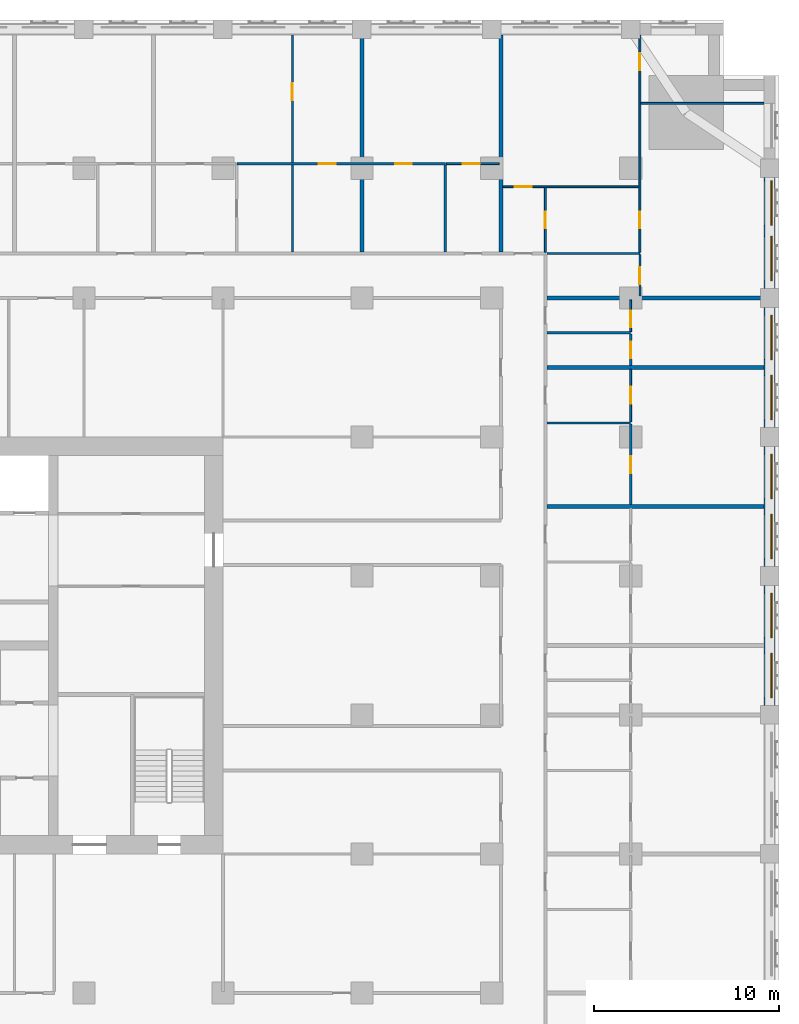
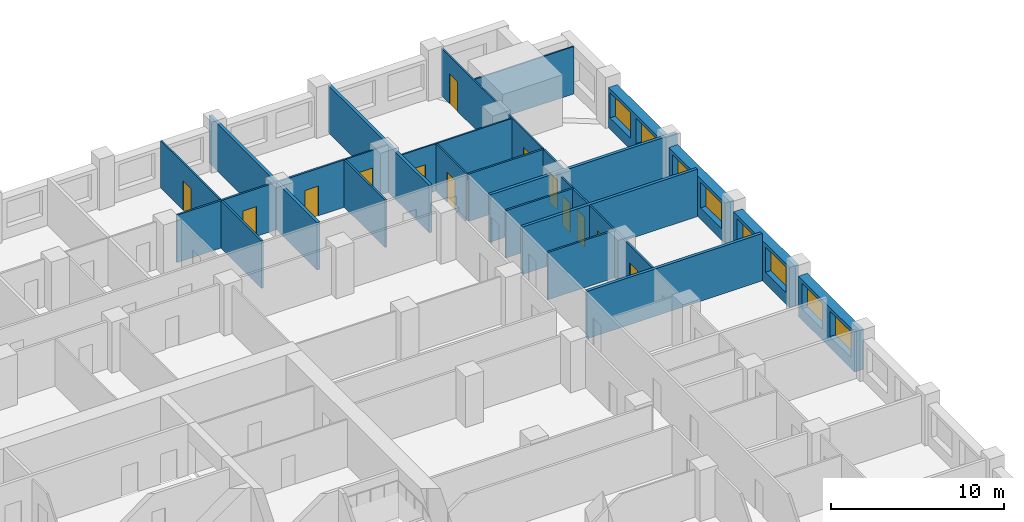
# One storey, part 10 of 14: 26 walls, 13 doors, 8 windows, 21 openings.
"""IFC4 building model written with IfcOpenShell, lengths in metres."""

from ifc_helpers import new_model, si_unit, direction, frame, frame_2d, origin, place, context, subcontext, project, spatial, rectangle, extrude, material, layer, layer_set, type_object, element, fill, save


model = new_model("IFC4")

# Units and contexts
model_context = context("Model", 3, precision=1e-05, world=origin(), true_north=direction((0.0, 1.0)))
body_context = subcontext(model_context, "Body", "Model", "MODEL_VIEW")
ifc_project = project(units=[si_unit("LENGTHUNIT", "METRE"), si_unit("AREAUNIT", "SQUARE_METRE"), si_unit("VOLUMEUNIT", "CUBIC_METRE"), si_unit("PLANEANGLEUNIT", "RADIAN"), si_unit("MASSUNIT", "GRAM", prefix="KILO")], contexts=[model_context])

# Site, building, storey
site_placement = place(None, origin())
site = spatial("IfcSite", under=ifc_project, at=site_placement, CompositionType="ELEMENT")
building_placement = place(site_placement, origin())
building = spatial("IfcBuilding", under=site, at=building_placement, Name="Tamorin Gate", CompositionType="ELEMENT")
storey_placement = place(building_placement, frame((0.0, 0.0, 66.39990234375)))
storey = spatial("IfcBuildingStorey", under=building, at=storey_placement, Name="L15", CompositionType="ELEMENT", Elevation=66.39990234375)

# Wall, openings, windows
ifc_material_1 = material(Name="Precast concrete C40/50", Category="concrete")
ifc_layer_1 = layer(ifc_material_1, 0.60009765625)
ifc_layer_set_1 = layer_set([ifc_layer_1], Name="Precast concrete C40/50")
wall_type_1 = type_object("IfcWallType", Name="Board-marked concrete facade panel 600", PredefinedType="SOLIDWALL", material=ifc_layer_set_1)
wall_1_placement = place(storey_placement, frame((89.5, 68.0, 0.0), z_axis=(0.0, 0.0, 1.0), x_axis=(0.0, 1.0, 0.0)))
wall_1 = element("IfcWall", 1, at=wall_1_placement, inside=storey, type_object=wall_type_1, Name="Facade panel", PredefinedType="SOLIDWALL", context=body_context, shape_type="SweptSolid", body=[
    extrude(rectangle(XDim=6.5, YDim=0.60009765625, at=frame_2d((3.25, 0.0))), origin(), (0.0, 0.0, 1.0), 2.85009765625),
])
opening_1_placement = place(wall_1_placement, frame((0.425048828125, 0.0, 0.800048828125)))
opening_1 = element("IfcOpeningElement", 2, at=opening_1_placement, cuts=wall_1, Name="Opening WN1", PredefinedType="OPENING", context=body_context, shape_type="SweptSolid", body=[
    extrude(rectangle(XDim=2.39990234375, YDim=1.800048828125, at=frame_2d((1.199951171875, 0.89990234375))), frame((0.0, 0.31005859375, 0.0), z_axis=(0.0, -1.0, 0.0), x_axis=(1.0, 0.0, 0.0)), (0.0, 0.0, 1.0), 0.6201171875),
])
opening_2_placement = place(wall_1_placement, frame((3.675048828125, 0.0, 0.800048828125)))
opening_2 = element("IfcOpeningElement", 3, at=opening_2_placement, cuts=wall_1, Name="Opening WN1", PredefinedType="OPENING", context=body_context, shape_type="SweptSolid", body=[
    extrude(rectangle(XDim=2.39990234375, YDim=1.800048828125, at=frame_2d((1.199951171875, 0.89990234375))), frame((0.0, 0.31005859375, 0.0), z_axis=(0.0, -1.0, 0.0), x_axis=(1.0, 0.0, 0.0)), (0.0, 0.0, 1.0), 0.6201171875),
])
ifc_material_2 = material(Name="Clear glass in aluminium frame", Category="aluminium")
window_type = type_object("IfcWindowType", Name="Deep-set window 2400x1800", PartitioningType="SINGLE_PANEL", PredefinedType="WINDOW", material=ifc_material_2)
window_1_placement = place(opening_1_placement, origin())
window_1 = element("IfcWindow", 4, at=window_1_placement, inside=storey, type_object=window_type, Name="Deep-set window", OverallHeight=1.800048828125, OverallWidth=2.39990234375, PartitioningType="SINGLE_PANEL", PredefinedType="WINDOW", context=body_context, shape_type="SweptSolid", body=[
    extrude(rectangle(XDim=2.39990234375, YDim=1.800048828125, at=frame_2d((1.199951171875, 0.89990234375))), frame((0.0, -0.070068359375, 0.0), z_axis=(0.0, -1.0, 0.0), x_axis=(1.0, 0.0, 0.0)), (0.0, 0.0, 1.0), 0.06005859375),
])
fill(opening_1, window_1)
window_2_placement = place(opening_2_placement, origin())
window_2 = element("IfcWindow", 5, at=window_2_placement, inside=storey, type_object=window_type, Name="Deep-set window", OverallHeight=1.800048828125, OverallWidth=2.39990234375, PartitioningType="SINGLE_PANEL", PredefinedType="WINDOW", context=body_context, shape_type="SweptSolid", body=[
    extrude(rectangle(XDim=2.39990234375, YDim=1.800048828125, at=frame_2d((1.199951171875, 0.89990234375))), frame((0.0, -0.070068359375, 0.0), z_axis=(0.0, -1.0, 0.0), x_axis=(1.0, 0.0, 0.0)), (0.0, 0.0, 1.0), 0.06005859375),
])
fill(opening_2, window_2)

wall_2_placement = place(storey_placement, frame((89.5, 75.5, 0.0), z_axis=(0.0, 0.0, 1.0), x_axis=(0.0, 1.0, 0.0)))
wall_2 = element("IfcWall", 6, at=wall_2_placement, inside=storey, type_object=wall_type_1, Name="Facade panel", PredefinedType="SOLIDWALL", context=body_context, shape_type="SweptSolid", body=[
    extrude(rectangle(XDim=6.5, YDim=0.60009765625, at=frame_2d((3.25, 0.0))), origin(), (0.0, 0.0, 1.0), 2.85009765625),
])
opening_3_placement = place(wall_2_placement, frame((0.425048828125, 0.0, 0.800048828125)))
opening_3 = element("IfcOpeningElement", 7, at=opening_3_placement, cuts=wall_2, Name="Opening WN1", PredefinedType="OPENING", context=body_context, shape_type="SweptSolid", body=[
    extrude(rectangle(XDim=2.39990234375, YDim=1.800048828125, at=frame_2d((1.199951171875, 0.89990234375))), frame((0.0, 0.31005859375, 0.0), z_axis=(0.0, -1.0, 0.0), x_axis=(1.0, 0.0, 0.0)), (0.0, 0.0, 1.0), 0.6201171875),
])
opening_4_placement = place(wall_2_placement, frame((3.675048828125, 0.0, 0.800048828125)))
opening_4 = element("IfcOpeningElement", 8, at=opening_4_placement, cuts=wall_2, Name="Opening WN1", PredefinedType="OPENING", context=body_context, shape_type="SweptSolid", body=[
    extrude(rectangle(XDim=2.39990234375, YDim=1.800048828125, at=frame_2d((1.199951171875, 0.89990234375))), frame((0.0, 0.31005859375, 0.0), z_axis=(0.0, -1.0, 0.0), x_axis=(1.0, 0.0, 0.0)), (0.0, 0.0, 1.0), 0.6201171875),
])
window_3_placement = place(opening_3_placement, origin())
window_3 = element("IfcWindow", 9, at=window_3_placement, inside=storey, type_object=window_type, Name="Deep-set window", OverallHeight=1.800048828125, OverallWidth=2.39990234375, PartitioningType="SINGLE_PANEL", PredefinedType="WINDOW", context=body_context, shape_type="SweptSolid", body=[
    extrude(rectangle(XDim=2.39990234375, YDim=1.800048828125, at=frame_2d((1.199951171875, 0.89990234375))), frame((0.0, -0.070068359375, 0.0), z_axis=(0.0, -1.0, 0.0), x_axis=(1.0, 0.0, 0.0)), (0.0, 0.0, 1.0), 0.06005859375),
])
fill(opening_3, window_3)
window_4_placement = place(opening_4_placement, origin())
window_4 = element("IfcWindow", 10, at=window_4_placement, inside=storey, type_object=window_type, Name="Deep-set window", OverallHeight=1.800048828125, OverallWidth=2.39990234375, PartitioningType="SINGLE_PANEL", PredefinedType="WINDOW", context=body_context, shape_type="SweptSolid", body=[
    extrude(rectangle(XDim=2.39990234375, YDim=1.800048828125, at=frame_2d((1.199951171875, 0.89990234375))), frame((0.0, -0.070068359375, 0.0), z_axis=(0.0, -1.0, 0.0), x_axis=(1.0, 0.0, 0.0)), (0.0, 0.0, 1.0), 0.06005859375),
])
fill(opening_4, window_4)

wall_3_placement = place(storey_placement, frame((89.5, 83.0, 0.0), z_axis=(0.0, 0.0, 1.0), x_axis=(0.0, 1.0, 0.0)))
wall_3 = element("IfcWall", 11, at=wall_3_placement, inside=storey, type_object=wall_type_1, Name="Facade panel", PredefinedType="SOLIDWALL", context=body_context, shape_type="SweptSolid", body=[
    extrude(rectangle(XDim=6.5, YDim=0.60009765625, at=frame_2d((3.25, 0.0))), origin(), (0.0, 0.0, 1.0), 2.85009765625),
])
opening_5_placement = place(wall_3_placement, frame((0.425048828125, 0.0, 0.800048828125)))
opening_5 = element("IfcOpeningElement", 12, at=opening_5_placement, cuts=wall_3, Name="Opening WN1", PredefinedType="OPENING", context=body_context, shape_type="SweptSolid", body=[
    extrude(rectangle(XDim=2.39990234375, YDim=1.800048828125, at=frame_2d((1.199951171875, 0.89990234375))), frame((0.0, 0.31005859375, 0.0), z_axis=(0.0, -1.0, 0.0), x_axis=(1.0, 0.0, 0.0)), (0.0, 0.0, 1.0), 0.6201171875),
])
opening_6_placement = place(wall_3_placement, frame((3.675048828125, 0.0, 0.800048828125)))
opening_6 = element("IfcOpeningElement", 13, at=opening_6_placement, cuts=wall_3, Name="Opening WN1", PredefinedType="OPENING", context=body_context, shape_type="SweptSolid", body=[
    extrude(rectangle(XDim=2.39990234375, YDim=1.800048828125, at=frame_2d((1.199951171875, 0.89990234375))), frame((0.0, 0.31005859375, 0.0), z_axis=(0.0, -1.0, 0.0), x_axis=(1.0, 0.0, 0.0)), (0.0, 0.0, 1.0), 0.6201171875),
])
window_5_placement = place(opening_5_placement, origin())
window_5 = element("IfcWindow", 14, at=window_5_placement, inside=storey, type_object=window_type, Name="Deep-set window", OverallHeight=1.800048828125, OverallWidth=2.39990234375, PartitioningType="SINGLE_PANEL", PredefinedType="WINDOW", context=body_context, shape_type="SweptSolid", body=[
    extrude(rectangle(XDim=2.39990234375, YDim=1.800048828125, at=frame_2d((1.199951171875, 0.89990234375))), frame((0.0, -0.070068359375, 0.0), z_axis=(0.0, -1.0, 0.0), x_axis=(1.0, 0.0, 0.0)), (0.0, 0.0, 1.0), 0.06005859375),
])
fill(opening_5, window_5)
window_6_placement = place(opening_6_placement, origin())
window_6 = element("IfcWindow", 15, at=window_6_placement, inside=storey, type_object=window_type, Name="Deep-set window", OverallHeight=1.800048828125, OverallWidth=2.39990234375, PartitioningType="SINGLE_PANEL", PredefinedType="WINDOW", context=body_context, shape_type="SweptSolid", body=[
    extrude(rectangle(XDim=2.39990234375, YDim=1.800048828125, at=frame_2d((1.199951171875, 0.89990234375))), frame((0.0, -0.070068359375, 0.0), z_axis=(0.0, -1.0, 0.0), x_axis=(1.0, 0.0, 0.0)), (0.0, 0.0, 1.0), 0.06005859375),
])
fill(opening_6, window_6)

wall_4_placement = place(storey_placement, frame((89.5, 90.5, 0.0), z_axis=(0.0, 0.0, 1.0), x_axis=(0.0, 1.0, 0.0)))
wall_4 = element("IfcWall", 16, at=wall_4_placement, inside=storey, type_object=wall_type_1, Name="Facade panel", PredefinedType="SOLIDWALL", context=body_context, shape_type="SweptSolid", body=[
    extrude(rectangle(XDim=6.0, YDim=0.60009765625, at=frame_2d((3.0, 0.0))), origin(), (0.0, 0.0, 1.0), 2.85009765625),
])
opening_7_placement = place(wall_4_placement, frame((0.425048828125, 0.0, 0.800048828125)))
opening_7 = element("IfcOpeningElement", 17, at=opening_7_placement, cuts=wall_4, Name="Opening WN1", PredefinedType="OPENING", context=body_context, shape_type="SweptSolid", body=[
    extrude(rectangle(XDim=2.39990234375, YDim=1.800048828125, at=frame_2d((1.199951171875, 0.89990234375))), frame((0.0, 0.31005859375, 0.0), z_axis=(0.0, -1.0, 0.0), x_axis=(1.0, 0.0, 0.0)), (0.0, 0.0, 1.0), 0.6201171875),
])
opening_8_placement = place(wall_4_placement, frame((3.425048828125, 0.0, 0.800048828125)))
opening_8 = element("IfcOpeningElement", 18, at=opening_8_placement, cuts=wall_4, Name="Opening WN1", PredefinedType="OPENING", context=body_context, shape_type="SweptSolid", body=[
    extrude(rectangle(XDim=2.39990234375, YDim=1.800048828125, at=frame_2d((1.199951171875, 0.89990234375))), frame((0.0, 0.31005859375, 0.0), z_axis=(0.0, -1.0, 0.0), x_axis=(1.0, 0.0, 0.0)), (0.0, 0.0, 1.0), 0.6201171875),
])
window_7_placement = place(opening_7_placement, origin())
window_7 = element("IfcWindow", 19, at=window_7_placement, inside=storey, type_object=window_type, Name="Deep-set window", OverallHeight=1.800048828125, OverallWidth=2.39990234375, PartitioningType="SINGLE_PANEL", PredefinedType="WINDOW", context=body_context, shape_type="SweptSolid", body=[
    extrude(rectangle(XDim=2.39990234375, YDim=1.800048828125, at=frame_2d((1.199951171875, 0.89990234375))), frame((0.0, -0.070068359375, 0.0), z_axis=(0.0, -1.0, 0.0), x_axis=(1.0, 0.0, 0.0)), (0.0, 0.0, 1.0), 0.06005859375),
])
fill(opening_7, window_7)
window_8_placement = place(opening_8_placement, origin())
window_8 = element("IfcWindow", 20, at=window_8_placement, inside=storey, type_object=window_type, Name="Deep-set window", OverallHeight=1.800048828125, OverallWidth=2.39990234375, PartitioningType="SINGLE_PANEL", PredefinedType="WINDOW", context=body_context, shape_type="SweptSolid", body=[
    extrude(rectangle(XDim=2.39990234375, YDim=1.800048828125, at=frame_2d((1.199951171875, 0.89990234375))), frame((0.0, -0.070068359375, 0.0), z_axis=(0.0, -1.0, 0.0), x_axis=(1.0, 0.0, 0.0)), (0.0, 0.0, 1.0), 0.06005859375),
])
fill(opening_8, window_8)

# Walls
ifc_material_3 = material(Name="Gypsum board partition")
ifc_layer_2 = layer(ifc_material_3, 0.199951171875)
ifc_layer_set_2 = layer_set([ifc_layer_2], Name="Demising wall 200")
wall_type_2 = type_object("IfcWallType", Name="Demising wall 200", PredefinedType="PARTITIONING", material=ifc_layer_set_2)
for number, where, z_axis, x_axis, name in (
    (21, (77.47509765625, 78.75, 0.0), (0.0, 0.0, 1.0), (1.0, 0.0, 0.0), "Demising wall 200"),
    (22, (77.47509765625, 86.25, 0.0), (0.0, 0.0, 1.0), (1.0, 0.0, 0.0), "Demising wall 200"),
):
    element("IfcWall", number, at=place(storey_placement, frame(where, z_axis=z_axis, x_axis=x_axis)), inside=storey, type_object=wall_type_2, Name=name, PredefinedType="PARTITIONING", context=body_context, shape_type="SweptSolid", body=[
        extrude(rectangle(XDim=11.71484375, YDim=0.199951171875, at=frame_2d((5.857421875, 0.0))), origin(), (0.0, 0.0, 1.0), 3.35009765625),
    ])
for number, where, z_axis, x_axis, name in (
    (23, (77.47509765625, 90.0, 0.0), (0.0, 0.0, 1.0), (1.0, 0.0, 0.0), "Demising wall 200"),
    (24, (67.5, 92.47509765625, 0.0), (0.0, 0.0, 1.0), (0.0, 1.0, 0.0), "Demising wall 200"),
):
    element("IfcWall", number, at=place(storey_placement, frame(where, z_axis=z_axis, x_axis=x_axis)), inside=storey, type_object=wall_type_2, Name=name, PredefinedType="PARTITIONING", context=body_context, shape_type="SweptSolid", body=[
        extrude(rectangle(XDim=12.52490234375, YDim=0.199951171875, at=frame_2d((6.262451171875, 0.0))), origin(), (0.0, 0.0, 1.0), 3.35009765625),
    ])
wall_5_placement = place(storey_placement, frame((75.0, 92.47509765625, 0.0), z_axis=(0.0, 0.0, 1.0), x_axis=(0.0, 1.0, 0.0)))
element("IfcWall", 25, at=wall_5_placement, inside=storey, type_object=wall_type_2, Name="Demising wall 200", PredefinedType="PARTITIONING", context=body_context, shape_type="SweptSolid", body=[
    extrude(rectangle(XDim=11.71484375, YDim=0.199951171875, at=frame_2d((5.857421875, 0.0))), origin(), (0.0, 0.0, 1.0), 3.35009765625),
])

# Wall, opening, door
ifc_layer_3 = layer(ifc_material_3, 0.10009765625)
ifc_layer_set_3 = layer_set([ifc_layer_3], Name="Room partition 100")
wall_type_3 = type_object("IfcWallType", Name="Room partition 100", PredefinedType="PARTITIONING", material=ifc_layer_set_3)
wall_6_placement = place(storey_placement, frame((75.10009765625, 96.0, 0.0), z_axis=(0.0, 0.0, 1.0), x_axis=(1.0, 0.0, 0.0)))
wall_6 = element("IfcWall", 26, at=wall_6_placement, inside=storey, type_object=wall_type_3, Name="Room partition 100", PredefinedType="PARTITIONING", context=body_context, shape_type="SweptSolid", body=[
    extrude(rectangle(XDim=7.349853515625, YDim=0.10009765625, at=frame_2d((3.6748046875, 0.0))), origin(), (0.0, 0.0, 1.0), 3.35009765625),
])
opening_9_placement = place(wall_6_placement, frame((0.64990234375, 0.0, 0.0)))
opening_9 = element("IfcOpeningElement", 27, at=opening_9_placement, cuts=wall_6, Name="Opening DH2062", PredefinedType="OPENING", context=body_context, shape_type="SweptSolid", body=[
    extrude(rectangle(XDim=0.89990234375, YDim=2.10009765625, at=frame_2d((0.449951171875, 1.050048828125))), frame((0.0, 0.06005859375, 0.0), z_axis=(0.0, -1.0, 0.0), x_axis=(1.0, 0.0, 0.0)), (0.0, 0.0, 1.0), 0.1201171875),
])
ifc_material_4 = material(Name="Timber door leaf", Category="wood")
door_type = type_object("IfcDoorType", Name="Door 900 x 2100", OperationType="NOTDEFINED", PredefinedType="DOOR", material=ifc_material_4)
door_1_placement = place(opening_9_placement, origin())
door_1 = element("IfcDoor", 28, at=door_1_placement, inside=storey, type_object=door_type, Name="Door DH2062", OperationType="SINGLE_SWING_LEFT", OverallHeight=2.10009765625, OverallWidth=0.89990234375, PredefinedType="DOOR", context=body_context, shape_type="SweptSolid", body=[
    extrude(rectangle(XDim=0.89990234375, YDim=2.10009765625, at=frame_2d((0.449951171875, 1.050048828125))), frame((0.0, 0.02490234375, 0.0), z_axis=(0.0, -1.0, 0.0), x_axis=(1.0, 0.0, 0.0)), (0.0, 0.0, 1.0), 0.050048828125),
])
fill(opening_9, door_1)

wall_7_placement = place(storey_placement, frame((72.0625, 97.25, 0.0), z_axis=(0.0, 0.0, 1.0), x_axis=(1.0, 0.0, 0.0)))
wall_7 = element("IfcWall", 29, at=wall_7_placement, inside=storey, type_object=wall_type_3, Name="Room partition 100", PredefinedType="PARTITIONING", context=body_context, shape_type="SweptSolid", body=[
    extrude(rectangle(XDim=2.83740234375, YDim=0.10009765625, at=frame_2d((1.418701171875, 0.0))), origin(), (0.0, 0.0, 1.0), 3.35009765625),
])
opening_10_placement = place(wall_7_placement, frame((0.887451171875, 0.0, 0.0)))
opening_10 = element("IfcOpeningElement", 30, at=opening_10_placement, cuts=wall_7, Name="Opening DH2036", PredefinedType="OPENING", context=body_context, shape_type="SweptSolid", body=[
    extrude(rectangle(XDim=0.89990234375, YDim=2.10009765625, at=frame_2d((0.449951171875, 1.050048828125))), frame((0.0, 0.06005859375, 0.0), z_axis=(0.0, -1.0, 0.0), x_axis=(1.0, 0.0, 0.0)), (0.0, 0.0, 1.0), 0.1201171875),
])
door_2_placement = place(opening_10_placement, origin())
door_2 = element("IfcDoor", 31, at=door_2_placement, inside=storey, type_object=door_type, Name="Door DH2036", OperationType="SINGLE_SWING_RIGHT", OverallHeight=2.10009765625, OverallWidth=0.89990234375, PredefinedType="DOOR", context=body_context, shape_type="SweptSolid", body=[
    extrude(rectangle(XDim=0.89990234375, YDim=2.10009765625, at=frame_2d((0.449951171875, 1.050048828125))), frame((0.0, 0.02490234375, 0.0), z_axis=(0.0, -1.0, 0.0), x_axis=(1.0, 0.0, 0.0)), (0.0, 0.0, 1.0), 0.050048828125),
])
fill(opening_10, door_2)

# Wall
wall_8_placement = place(storey_placement, frame((82.550048828125, 100.5, 0.0), z_axis=(0.0, 0.0, 1.0), x_axis=(1.0, 0.0, 0.0)))
element("IfcWall", 32, at=wall_8_placement, inside=storey, type_object=wall_type_3, Name="Room partition 100", PredefinedType="PARTITIONING", context=body_context, shape_type="SweptSolid", body=[
    extrude(rectangle(XDim=6.639892578125, YDim=0.10009765625, at=frame_2d((3.31982421875, 0.0))), origin(), (0.0, 0.0, 1.0), 3.35009765625),
])

# Wall, opening, door
wall_9_placement = place(storey_placement, frame((63.75, 97.3125, 0.0), z_axis=(0.0, 0.0, 1.0), x_axis=(0.0, 1.0, 0.0)))
wall_9 = element("IfcWall", 33, at=wall_9_placement, inside=storey, type_object=wall_type_3, Name="Room partition 100", PredefinedType="PARTITIONING", context=body_context, shape_type="SweptSolid", body=[
    extrude(rectangle(XDim=6.87744140625, YDim=0.10009765625, at=frame_2d((3.438720703125, 0.0))), origin(), (0.0, 0.0, 1.0), 3.35009765625),
])
opening_11_placement = place(wall_9_placement, frame((3.362548828125, 0.0, 0.0)))
opening_11 = element("IfcOpeningElement", 34, at=opening_11_placement, cuts=wall_9, Name="Opening DH2033", PredefinedType="OPENING", context=body_context, shape_type="SweptSolid", body=[
    extrude(rectangle(XDim=0.89990234375, YDim=2.10009765625, at=frame_2d((0.449951171875, 1.050048828125))), frame((0.0, 0.06005859375, 0.0), z_axis=(0.0, -1.0, 0.0), x_axis=(1.0, 0.0, 0.0)), (0.0, 0.0, 1.0), 0.1201171875),
])
door_3_placement = place(opening_11_placement, origin())
door_3 = element("IfcDoor", 35, at=door_3_placement, inside=storey, type_object=door_type, Name="Door DH2033", OperationType="SINGLE_SWING_LEFT", OverallHeight=2.10009765625, OverallWidth=0.89990234375, PredefinedType="DOOR", context=body_context, shape_type="SweptSolid", body=[
    extrude(rectangle(XDim=0.89990234375, YDim=2.10009765625, at=frame_2d((0.449951171875, 1.050048828125))), frame((0.0, 0.02490234375, 0.0), z_axis=(0.0, -1.0, 0.0), x_axis=(1.0, 0.0, 0.0)), (0.0, 0.0, 1.0), 0.050048828125),
])
fill(opening_11, door_3)

wall_10_placement = place(storey_placement, frame((77.39990234375, 92.47509765625, 0.0), z_axis=(0.0, 0.0, 1.0), x_axis=(0.0, 1.0, 0.0)))
wall_10 = element("IfcWall", 36, at=wall_10_placement, inside=storey, type_object=wall_type_3, Name="Room partition 100", PredefinedType="PARTITIONING", context=body_context, shape_type="SweptSolid", body=[
    extrude(rectangle(XDim=3.474853515625, YDim=0.10009765625, at=frame_2d((1.7373046875, 0.0))), origin(), (0.0, 0.0, 1.0), 3.35009765625),
])
opening_12_placement = place(wall_10_placement, frame((1.27490234375, 0.0, 0.0)))
opening_12 = element("IfcOpeningElement", 37, at=opening_12_placement, cuts=wall_10, Name="Opening DH2063", PredefinedType="OPENING", context=body_context, shape_type="SweptSolid", body=[
    extrude(rectangle(XDim=0.89990234375, YDim=2.10009765625, at=frame_2d((0.449951171875, 1.050048828125))), frame((0.0, 0.06005859375, 0.0), z_axis=(0.0, -1.0, 0.0), x_axis=(1.0, 0.0, 0.0)), (0.0, 0.0, 1.0), 0.1201171875),
])
door_4_placement = place(opening_12_placement, origin())
door_4 = element("IfcDoor", 38, at=door_4_placement, inside=storey, type_object=door_type, Name="Door DH2063", OperationType="SINGLE_SWING_RIGHT", OverallHeight=2.10009765625, OverallWidth=0.89990234375, PredefinedType="DOOR", context=body_context, shape_type="SweptSolid", body=[
    extrude(rectangle(XDim=0.89990234375, YDim=2.10009765625, at=frame_2d((0.449951171875, 1.050048828125))), frame((0.0, 0.02490234375, 0.0), z_axis=(0.0, -1.0, 0.0), x_axis=(1.0, 0.0, 0.0)), (0.0, 0.0, 1.0), 0.050048828125),
])
fill(opening_12, door_4)

wall_11_placement = place(storey_placement, frame((82.0, 83.3125, 0.0), z_axis=(0.0, 0.0, 1.0), x_axis=(0.0, 1.0, 0.0)))
wall_11 = element("IfcWall", 39, at=wall_11_placement, inside=storey, type_object=wall_type_3, Name="Room partition 100", PredefinedType="PARTITIONING", context=body_context, shape_type="SweptSolid", body=[
    extrude(rectangle(XDim=2.83740234375, YDim=0.10009765625, at=frame_2d((1.418701171875, 0.0))), origin(), (0.0, 0.0, 1.0), 3.35009765625),
])
opening_13_placement = place(wall_11_placement, frame((0.987548828125, 0.0, 0.0)))
opening_13 = element("IfcOpeningElement", 40, at=opening_13_placement, cuts=wall_11, Name="Opening DH2051", PredefinedType="OPENING", context=body_context, shape_type="SweptSolid", body=[
    extrude(rectangle(XDim=0.89990234375, YDim=2.10009765625, at=frame_2d((0.449951171875, 1.050048828125))), frame((0.0, 0.06005859375, 0.0), z_axis=(0.0, -1.0, 0.0), x_axis=(1.0, 0.0, 0.0)), (0.0, 0.0, 1.0), 0.1201171875),
])
door_5_placement = place(opening_13_placement, origin())
door_5 = element("IfcDoor", 41, at=door_5_placement, inside=storey, type_object=door_type, Name="Door DH2051", OperationType="SINGLE_SWING_LEFT", OverallHeight=2.10009765625, OverallWidth=0.89990234375, PredefinedType="DOOR", context=body_context, shape_type="SweptSolid", body=[
    extrude(rectangle(XDim=0.89990234375, YDim=2.10009765625, at=frame_2d((0.449951171875, 1.050048828125))), frame((0.0, 0.02490234375, 0.0), z_axis=(0.0, -1.0, 0.0), x_axis=(1.0, 0.0, 0.0)), (0.0, 0.0, 1.0), 0.050048828125),
])
fill(opening_13, door_5)

wall_12_placement = place(storey_placement, frame((82.0, 88.1875, 0.0), z_axis=(0.0, 0.0, 1.0), x_axis=(0.0, 1.0, 0.0)))
wall_12 = element("IfcWall", 42, at=wall_12_placement, inside=storey, type_object=wall_type_3, Name="Room partition 100", PredefinedType="PARTITIONING", context=body_context, shape_type="SweptSolid", body=[
    extrude(rectangle(XDim=1.71240234375, YDim=0.10009765625, at=frame_2d((0.856201171875, 0.0))), origin(), (0.0, 0.0, 1.0), 3.35009765625),
])
opening_14_placement = place(wall_12_placement, frame((0.22509765625, 0.0, 0.0)))
opening_14 = element("IfcOpeningElement", 43, at=opening_14_placement, cuts=wall_12, Name="Opening DH2054", PredefinedType="OPENING", context=body_context, shape_type="SweptSolid", body=[
    extrude(rectangle(XDim=0.89990234375, YDim=2.10009765625, at=frame_2d((0.449951171875, 1.050048828125))), frame((0.0, 0.06005859375, 0.0), z_axis=(0.0, -1.0, 0.0), x_axis=(1.0, 0.0, 0.0)), (0.0, 0.0, 1.0), 0.1201171875),
])
door_6_placement = place(opening_14_placement, origin())
door_6 = element("IfcDoor", 44, at=door_6_placement, inside=storey, type_object=door_type, Name="Door DH2054", OperationType="SINGLE_SWING_LEFT", OverallHeight=2.10009765625, OverallWidth=0.89990234375, PredefinedType="DOOR", context=body_context, shape_type="SweptSolid", body=[
    extrude(rectangle(XDim=0.89990234375, YDim=2.10009765625, at=frame_2d((0.449951171875, 1.050048828125))), frame((0.0, 0.02490234375, 0.0), z_axis=(0.0, -1.0, 0.0), x_axis=(1.0, 0.0, 0.0)), (0.0, 0.0, 1.0), 0.050048828125),
])
fill(opening_14, door_6)

# Wall, openings, doors
wall_13_placement = place(storey_placement, frame((82.5, 92.46240234375, 0.0), z_axis=(0.0, 0.0, 1.0), x_axis=(0.0, 1.0, 0.0)))
wall_13 = element("IfcWall", 45, at=wall_13_placement, inside=storey, type_object=wall_type_3, Name="Room partition 100", PredefinedType="PARTITIONING", context=body_context, shape_type="SweptSolid", body=[
    extrude(rectangle(XDim=11.7275390625, YDim=0.10009765625, at=frame_2d((5.86376953125, 0.0))), origin(), (0.0, 0.0, 1.0), 3.35009765625),
])
opening_15_placement = place(wall_13_placement, frame((9.83740234375, 0.0, 0.0)))
opening_15 = element("IfcOpeningElement", 46, at=opening_15_placement, cuts=wall_13, Name="Opening DH2064", PredefinedType="OPENING", context=body_context, shape_type="SweptSolid", body=[
    extrude(rectangle(XDim=0.89990234375, YDim=2.10009765625, at=frame_2d((0.449951171875, 1.050048828125))), frame((0.0, 0.06005859375, 0.0), z_axis=(0.0, -1.0, 0.0), x_axis=(1.0, 0.0, 0.0)), (0.0, 0.0, 1.0), 0.1201171875),
])
opening_16_placement = place(wall_13_placement, frame((1.28759765625, 0.0, 0.0)))
opening_16 = element("IfcOpeningElement", 47, at=opening_16_placement, cuts=wall_13, Name="Opening DH2065", PredefinedType="OPENING", context=body_context, shape_type="SweptSolid", body=[
    extrude(rectangle(XDim=0.89990234375, YDim=2.10009765625, at=frame_2d((0.449951171875, 1.050048828125))), frame((0.0, 0.06005859375, 0.0), z_axis=(0.0, -1.0, 0.0), x_axis=(1.0, 0.0, 0.0)), (0.0, 0.0, 1.0), 0.1201171875),
])
door_7_placement = place(opening_15_placement, origin())
door_7 = element("IfcDoor", 48, at=door_7_placement, inside=storey, type_object=door_type, Name="Door DH2064", OperationType="SINGLE_SWING_LEFT", OverallHeight=2.10009765625, OverallWidth=0.89990234375, PredefinedType="DOOR", context=body_context, shape_type="SweptSolid", body=[
    extrude(rectangle(XDim=0.89990234375, YDim=2.10009765625, at=frame_2d((0.449951171875, 1.050048828125))), frame((0.0, 0.02490234375, 0.0), z_axis=(0.0, -1.0, 0.0), x_axis=(1.0, 0.0, 0.0)), (0.0, 0.0, 1.0), 0.050048828125),
])
fill(opening_15, door_7)
door_8_placement = place(opening_16_placement, origin())
door_8 = element("IfcDoor", 49, at=door_8_placement, inside=storey, type_object=door_type, Name="Door DH2065", OperationType="SINGLE_SWING_RIGHT", OverallHeight=2.10009765625, OverallWidth=0.89990234375, PredefinedType="DOOR", context=body_context, shape_type="SweptSolid", body=[
    extrude(rectangle(XDim=0.89990234375, YDim=2.10009765625, at=frame_2d((0.449951171875, 1.050048828125))), frame((0.0, 0.02490234375, 0.0), z_axis=(0.0, -1.0, 0.0), x_axis=(1.0, 0.0, 0.0)), (0.0, 0.0, 1.0), 0.050048828125),
])
fill(opening_16, door_8)

# Walls
ifc_layer_4 = layer(ifc_material_3, 0.125)
ifc_layer_set_4 = layer_set([ifc_layer_4], Name="Wet wall 125")
wall_type_4 = type_object("IfcWallType", Name="Wet wall 125", PredefinedType="PARTITIONING", material=ifc_layer_set_4)
for number, where, z_axis, x_axis, name in (
    (50, (77.47509765625, 83.25, 0.0), (0.0, 0.0, 1.0), (1.0, 0.0, 0.0), "Wet wall 125"),
    (51, (77.47509765625, 88.125, 0.0), (0.0, 0.0, 1.0), (1.0, 0.0, 0.0), "Wet wall 125"),
):
    element("IfcWall", number, at=place(storey_placement, frame(where, z_axis=z_axis, x_axis=x_axis)), inside=storey, type_object=wall_type_4, Name=name, PredefinedType="PARTITIONING", context=body_context, shape_type="SweptSolid", body=[
        extrude(rectangle(XDim=4.52490234375, YDim=0.125, at=frame_2d((2.262451171875, 0.0))), origin(), (0.0, 0.0, 1.0), 3.35009765625),
    ])
wall_14_placement = place(storey_placement, frame((77.47509765625, 92.39990234375, 0.0), z_axis=(0.0, 0.0, 1.0), x_axis=(1.0, 0.0, 0.0)))
element("IfcWall", 52, at=wall_14_placement, inside=storey, type_object=wall_type_4, Name="Wet wall 125", PredefinedType="PARTITIONING", context=body_context, shape_type="SweptSolid", body=[
    extrude(rectangle(XDim=5.02490234375, YDim=0.125, at=frame_2d((2.512451171875, 0.0))), origin(), (0.0, 0.0, 1.0), 3.35009765625),
])

# Wall, openings, doors
wall_15_placement = place(storey_placement, frame((60.75, 97.25, 0.0), z_axis=(0.0, 0.0, 1.0), x_axis=(1.0, 0.0, 0.0)))
wall_15 = element("IfcWall", 53, at=wall_15_placement, inside=storey, type_object=wall_type_4, Name="Wet wall 125", PredefinedType="PARTITIONING", context=body_context, shape_type="SweptSolid", body=[
    extrude(rectangle(XDim=11.25, YDim=0.125, at=frame_2d((5.625, 0.0))), origin(), (0.0, 0.0, 1.0), 3.35009765625),
])
opening_17_placement = place(wall_15_placement, frame((4.425048828125, 0.0, 0.0)))
opening_17 = element("IfcOpeningElement", 54, at=opening_17_placement, cuts=wall_15, Name="Opening DH2032", PredefinedType="OPENING", context=body_context, shape_type="SweptSolid", body=[
    extrude(rectangle(XDim=0.89990234375, YDim=2.10009765625, at=frame_2d((0.449951171875, 1.050048828125))), frame((0.0, 0.072509765625, 0.0), z_axis=(0.0, -1.0, 0.0), x_axis=(1.0, 0.0, 0.0)), (0.0, 0.0, 1.0), 0.14501953125),
])
opening_18_placement = place(wall_15_placement, frame((8.550048828125, 0.0, 0.0)))
opening_18 = element("IfcOpeningElement", 55, at=opening_18_placement, cuts=wall_15, Name="Opening DH2034", PredefinedType="OPENING", context=body_context, shape_type="SweptSolid", body=[
    extrude(rectangle(XDim=0.89990234375, YDim=2.10009765625, at=frame_2d((0.449951171875, 1.050048828125))), frame((0.0, 0.072509765625, 0.0), z_axis=(0.0, -1.0, 0.0), x_axis=(1.0, 0.0, 0.0)), (0.0, 0.0, 1.0), 0.14501953125),
])
door_9_placement = place(opening_17_placement, origin())
door_9 = element("IfcDoor", 56, at=door_9_placement, inside=storey, type_object=door_type, Name="Door DH2032", OperationType="SINGLE_SWING_RIGHT", OverallHeight=2.10009765625, OverallWidth=0.89990234375, PredefinedType="DOOR", context=body_context, shape_type="SweptSolid", body=[
    extrude(rectangle(XDim=0.89990234375, YDim=2.10009765625, at=frame_2d((0.449951171875, 1.050048828125))), frame((0.0, 0.02490234375, 0.0), z_axis=(0.0, -1.0, 0.0), x_axis=(1.0, 0.0, 0.0)), (0.0, 0.0, 1.0), 0.050048828125),
])
fill(opening_17, door_9)
door_10_placement = place(opening_18_placement, origin())
door_10 = element("IfcDoor", 57, at=door_10_placement, inside=storey, type_object=door_type, Name="Door DH2034", OperationType="SINGLE_SWING_RIGHT", OverallHeight=2.10009765625, OverallWidth=0.89990234375, PredefinedType="DOOR", context=body_context, shape_type="SweptSolid", body=[
    extrude(rectangle(XDim=0.89990234375, YDim=2.10009765625, at=frame_2d((0.449951171875, 1.050048828125))), frame((0.0, 0.02490234375, 0.0), z_axis=(0.0, -1.0, 0.0), x_axis=(1.0, 0.0, 0.0)), (0.0, 0.0, 1.0), 0.050048828125),
])
fill(opening_18, door_10)

# Walls
for number, where, z_axis, x_axis, name in (
    (58, (63.75, 92.47509765625, 0.0), (0.0, 0.0, 1.0), (0.0, 1.0, 0.0), "Wet wall 125"),
    (59, (72.0, 92.47509765625, 0.0), (0.0, 0.0, 1.0), (0.0, 1.0, 0.0), "Wet wall 125"),
):
    element("IfcWall", number, at=place(storey_placement, frame(where, z_axis=z_axis, x_axis=x_axis)), inside=storey, type_object=wall_type_4, Name=name, PredefinedType="PARTITIONING", context=body_context, shape_type="SweptSolid", body=[
        extrude(rectangle(XDim=4.71240234375, YDim=0.125, at=frame_2d((2.356201171875, 0.0))), origin(), (0.0, 0.0, 1.0), 3.35009765625),
    ])

# Wall, opening, door
wall_16_placement = place(storey_placement, frame((82.0, 78.85009765625, 0.0), z_axis=(0.0, 0.0, 1.0), x_axis=(0.0, 1.0, 0.0)))
wall_16 = element("IfcWall", 60, at=wall_16_placement, inside=storey, type_object=wall_type_4, Name="Wet wall 125", PredefinedType="PARTITIONING", context=body_context, shape_type="SweptSolid", body=[
    extrude(rectangle(XDim=4.33740234375, YDim=0.125, at=frame_2d((2.168701171875, 0.0))), origin(), (0.0, 0.0, 1.0), 3.35009765625),
])
opening_19_placement = place(wall_16_placement, frame((1.699951171875, 0.0, 0.0)))
opening_19 = element("IfcOpeningElement", 61, at=opening_19_placement, cuts=wall_16, Name="Opening DH2049", PredefinedType="OPENING", context=body_context, shape_type="SweptSolid", body=[
    extrude(rectangle(XDim=0.89990234375, YDim=2.10009765625, at=frame_2d((0.449951171875, 1.050048828125))), frame((0.0, 0.072509765625, 0.0), z_axis=(0.0, -1.0, 0.0), x_axis=(1.0, 0.0, 0.0)), (0.0, 0.0, 1.0), 0.14501953125),
])
door_11_placement = place(opening_19_placement, origin())
door_11 = element("IfcDoor", 62, at=door_11_placement, inside=storey, type_object=door_type, Name="Door DH2049", OperationType="SINGLE_SWING_LEFT", OverallHeight=2.10009765625, OverallWidth=0.89990234375, PredefinedType="DOOR", context=body_context, shape_type="SweptSolid", body=[
    extrude(rectangle(XDim=0.89990234375, YDim=2.10009765625, at=frame_2d((0.449951171875, 1.050048828125))), frame((0.0, 0.02490234375, 0.0), z_axis=(0.0, -1.0, 0.0), x_axis=(1.0, 0.0, 0.0)), (0.0, 0.0, 1.0), 0.050048828125),
])
fill(opening_19, door_11)

wall_17_placement = place(storey_placement, frame((82.0, 86.35009765625, 0.0), z_axis=(0.0, 0.0, 1.0), x_axis=(0.0, 1.0, 0.0)))
wall_17 = element("IfcWall", 63, at=wall_17_placement, inside=storey, type_object=wall_type_4, Name="Wet wall 125", PredefinedType="PARTITIONING", context=body_context, shape_type="SweptSolid", body=[
    extrude(rectangle(XDim=1.71240234375, YDim=0.125, at=frame_2d((0.856201171875, 0.0))), origin(), (0.0, 0.0, 1.0), 3.35009765625),
])
opening_20_placement = place(wall_17_placement, frame((0.387451171875, 0.0, 0.0)))
opening_20 = element("IfcOpeningElement", 64, at=opening_20_placement, cuts=wall_17, Name="Opening DH2052", PredefinedType="OPENING", context=body_context, shape_type="SweptSolid", body=[
    extrude(rectangle(XDim=0.89990234375, YDim=2.10009765625, at=frame_2d((0.449951171875, 1.050048828125))), frame((0.0, 0.072509765625, 0.0), z_axis=(0.0, -1.0, 0.0), x_axis=(1.0, 0.0, 0.0)), (0.0, 0.0, 1.0), 0.14501953125),
])
door_12_placement = place(opening_20_placement, origin())
door_12 = element("IfcDoor", 65, at=door_12_placement, inside=storey, type_object=door_type, Name="Door DH2052", OperationType="SINGLE_SWING_LEFT", OverallHeight=2.10009765625, OverallWidth=0.89990234375, PredefinedType="DOOR", context=body_context, shape_type="SweptSolid", body=[
    extrude(rectangle(XDim=0.89990234375, YDim=2.10009765625, at=frame_2d((0.449951171875, 1.050048828125))), frame((0.0, 0.02490234375, 0.0), z_axis=(0.0, -1.0, 0.0), x_axis=(1.0, 0.0, 0.0)), (0.0, 0.0, 1.0), 0.050048828125),
])
fill(opening_20, door_12)

wall_18_placement = place(storey_placement, frame((82.5, 90.10009765625, 0.0), z_axis=(0.0, 0.0, 1.0), x_axis=(0.0, 1.0, 0.0)))
wall_18 = element("IfcWall", 66, at=wall_18_placement, inside=storey, type_object=wall_type_4, Name="Wet wall 125", PredefinedType="PARTITIONING", context=body_context, shape_type="SweptSolid", body=[
    extrude(rectangle(XDim=2.2373046875, YDim=0.125, at=frame_2d((1.11865234375, 0.0))), origin(), (0.0, 0.0, 1.0), 3.35009765625),
])
opening_21_placement = place(wall_18_placement, frame((0.64990234375, 0.0, 0.0)))
opening_21 = element("IfcOpeningElement", 67, at=opening_21_placement, cuts=wall_18, Name="Opening DH2066", PredefinedType="OPENING", context=body_context, shape_type="SweptSolid", body=[
    extrude(rectangle(XDim=0.89990234375, YDim=2.10009765625, at=frame_2d((0.449951171875, 1.050048828125))), frame((0.0, 0.072509765625, 0.0), z_axis=(0.0, -1.0, 0.0), x_axis=(1.0, 0.0, 0.0)), (0.0, 0.0, 1.0), 0.14501953125),
])
door_13_placement = place(opening_21_placement, origin())
door_13 = element("IfcDoor", 68, at=door_13_placement, inside=storey, type_object=door_type, Name="Door DH2066", OperationType="SINGLE_SWING_LEFT", OverallHeight=2.10009765625, OverallWidth=0.89990234375, PredefinedType="DOOR", context=body_context, shape_type="SweptSolid", body=[
    extrude(rectangle(XDim=0.89990234375, YDim=2.10009765625, at=frame_2d((0.449951171875, 1.050048828125))), frame((0.0, 0.02490234375, 0.0), z_axis=(0.0, -1.0, 0.0), x_axis=(1.0, 0.0, 0.0)), (0.0, 0.0, 1.0), 0.050048828125),
])
fill(opening_21, door_13)

save(model, "model.ifc")
